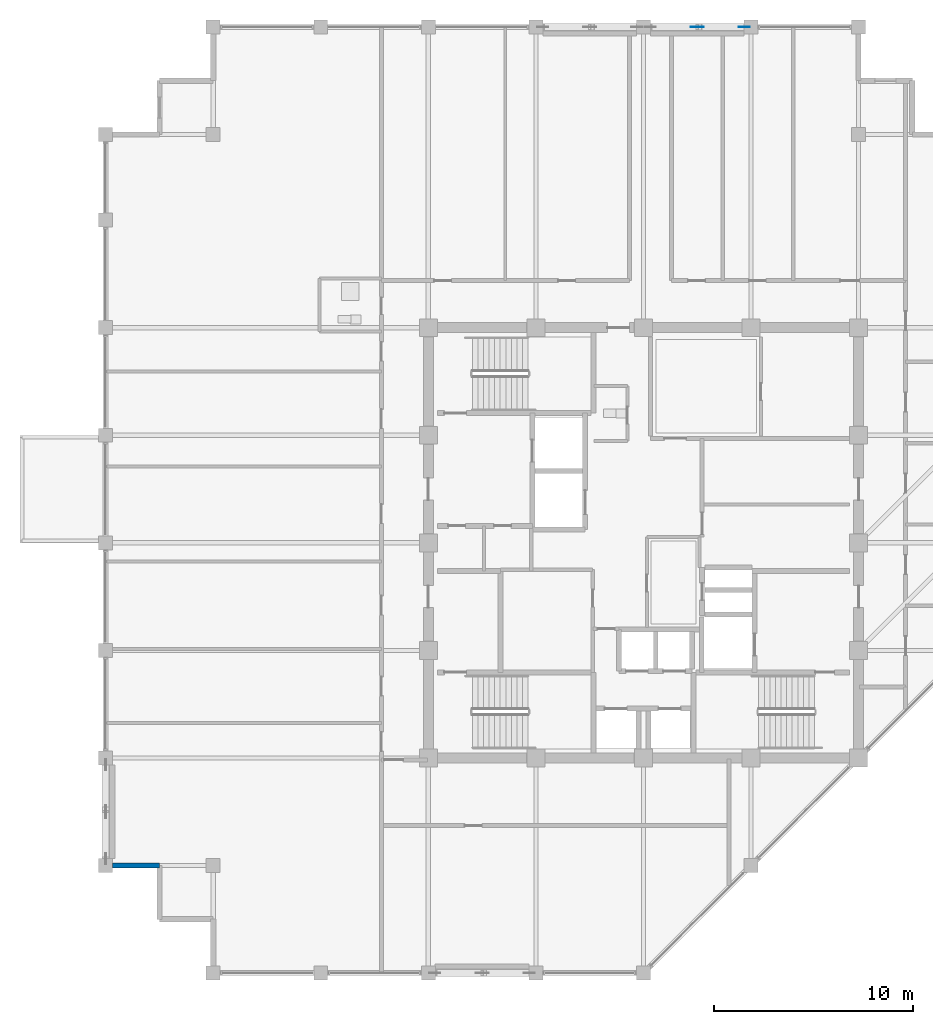
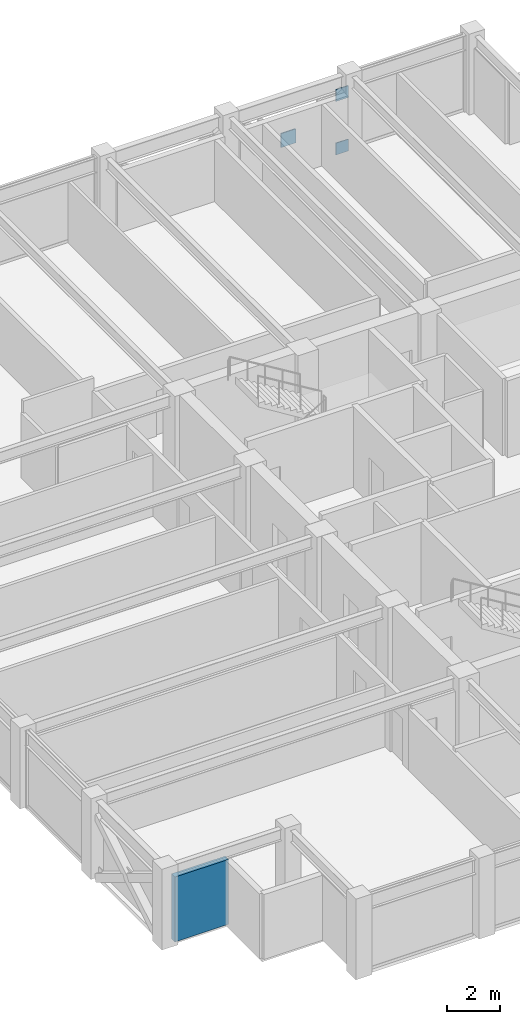
# One storey, part 23 of 29: 3 plates, 1 wall.
"""IFC4 building model written with IfcOpenShell, lengths in metres."""

from ifc_helpers import new_model, si_unit, direction, frame, frame_2d, origin, origin_2d, place, context, subcontext, project, spatial, rectangle, extrude, material, layer, layer_set, type_object, element, save


model = new_model("IFC4")

# Units and contexts
model_context = context("Model", 3, precision=1e-05, world=origin(), true_north=direction((0.0, 1.0)))
body_context = subcontext(model_context, "Body", "Model", "MODEL_VIEW")
ifc_project = project(units=[si_unit("LENGTHUNIT", "METRE"), si_unit("AREAUNIT", "SQUARE_METRE"), si_unit("VOLUMEUNIT", "CUBIC_METRE"), si_unit("PLANEANGLEUNIT", "RADIAN"), si_unit("MASSUNIT", "GRAM", prefix="KILO")], contexts=[model_context])

# Site, building, storey
site_placement = place(None, origin())
site = spatial("IfcSite", under=ifc_project, at=site_placement, CompositionType="ELEMENT")
building_placement = place(site_placement, origin())
building = spatial("IfcBuilding", under=site, at=building_placement, Name="Surkhivell Harbour Commons", CompositionType="ELEMENT")
storey_placement = place(building_placement, frame((0.0, 0.0, 326.25)))
storey = spatial("IfcBuildingStorey", under=building, at=storey_placement, Name="L85", CompositionType="ELEMENT", Elevation=326.25)

# Plates
ifc_material_1 = material(Name="Steel S460", Category="steel")
ifc_layer_1 = layer(ifc_material_1, 0.035888671875)
ifc_layer_set_1 = layer_set([ifc_layer_1], Name="Steel S460")
plate_type_1 = type_object("IfcPlateType", Name="PLT-GUS-550", PredefinedType="USERDEFINED", material=ifc_layer_set_1)
for number, where, z_axis, x_axis, name in (
    (1, (5.06494140625, 25.89990234375, -0.07470703125), (0.0, 0.0, 1.0), (1.0, 0.0, 0.0), "L85 Perimeter Mega-Brace MB- Corner Gusset N2-2"),
    (2, (5.06494140625, 25.89990234375, 2.41357421875), (0.0, 0.0, 1.0), (1.0, 0.0, 0.0), "L85 Perimeter Mega-Brace MB- Corner Gusset N2-4"),
):
    element("IfcPlate", number, at=place(storey_placement, frame(where, z_axis=z_axis, x_axis=x_axis)), inside=storey, type_object=plate_type_1, Name=name, ObjectType="GUSSET_PLATE", PredefinedType="USERDEFINED", context=body_context, shape_type="SweptSolid", body=[
        extrude(rectangle(XDim=0.550048828125, YDim=0.035888671875, at=origin_2d()), origin(), (0.0, 0.0, 1.0), 0.550048828125),
    ])
ifc_layer_2 = layer(ifc_material_1, 0.044921875)
ifc_layer_set_2 = layer_set([ifc_layer_2], Name="Steel S460")
plate_type_2 = type_object("IfcPlateType", Name="PLT-GUS-650", PredefinedType="USERDEFINED", material=ifc_layer_set_2)
plate_placement = place(storey_placement, frame((2.699951171875, 25.89990234375, 1.11962890625), z_axis=(0.0, 0.0, 1.0), x_axis=(1.0, 0.0, 0.0)))
element("IfcPlate", 3, at=plate_placement, inside=storey, type_object=plate_type_2, Name="L85 Perimeter Mega-Brace MB- Central Crossing Gusset N2", ObjectType="GUSSET_PLATE", PredefinedType="USERDEFINED", context=body_context, shape_type="SweptSolid", body=[
    extrude(rectangle(XDim=0.64990234375, YDim=0.044921875, at=origin_2d()), origin(), (0.0, 0.0, 1.0), 0.64990234375),
])

# Wall
ifc_material_2 = material(Name="Pale-metal insulated precast concrete C45/55", Category="concrete")
ifc_layer_3 = layer(ifc_material_2, 0.260009765625)
ifc_layer_set_3 = layer_set([ifc_layer_3], Name="Pale-metal insulated precast concrete C45/55")
wall_type = type_object("IfcWallType", Name="WAL-EXT-MTL260", PredefinedType="STANDARD", material=ifc_layer_set_3)
wall_placement = place(storey_placement, frame((-26.652099609375, -16.199951171875, 0.0), z_axis=(0.0, 0.0, 1.0), x_axis=(1.0, 0.0, 0.0)))
element("IfcWall", 4, at=wall_placement, inside=storey, type_object=wall_type, Name="L85 Serrated Corner Facade Wall 13", PredefinedType="STANDARD", context=body_context, shape_type="SweptSolid", body=[
    extrude(rectangle(XDim=2.35205078125, YDim=0.260009765625, at=frame_2d((1.176025390625, 0.0))), origin(), (0.0, 0.0, 1.0), 3.012939453125),
])

save(model, "model.ifc")
